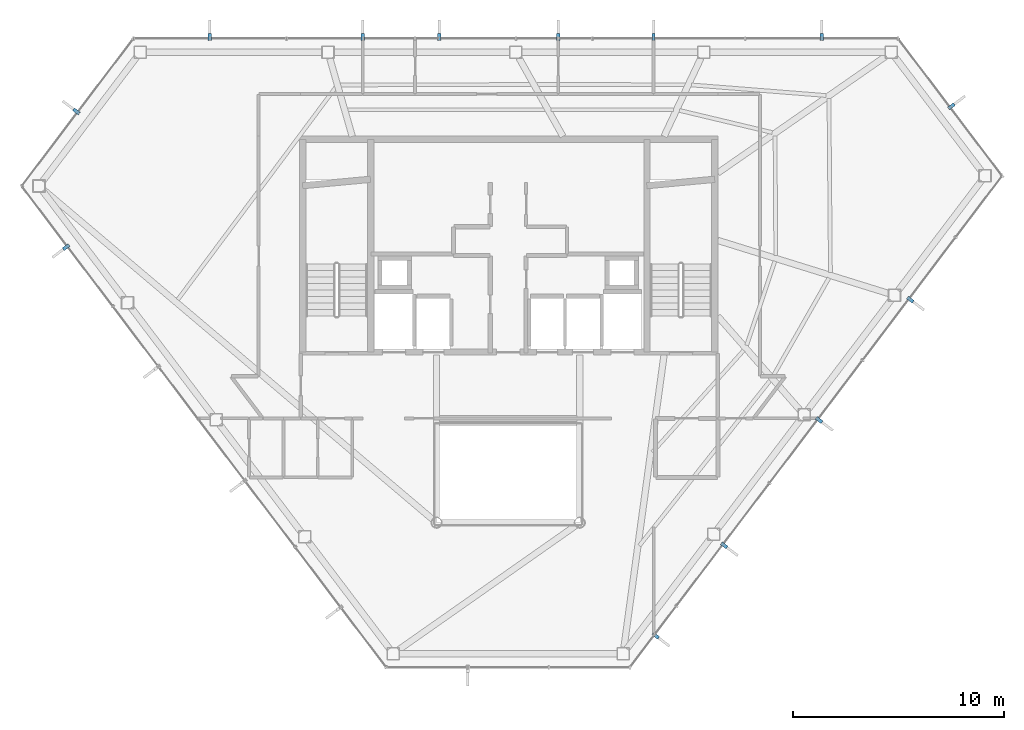
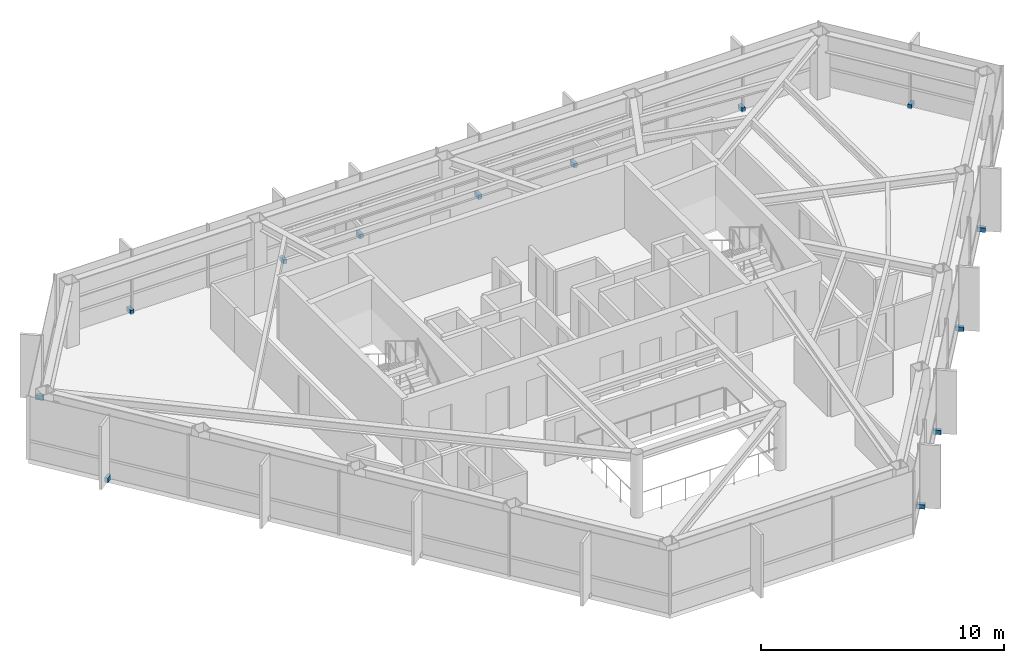
# One storey, part 26 of 27: 13 discrete accessories.
"""IFC4 building model written with IfcOpenShell, lengths in metres."""

from ifc_helpers import new_model, si_unit, direction, frame, origin, origin_2d, place, context, subcontext, project, spatial, rectangle, extrude, material, type_object, element, save


model = new_model("IFC4")

# Units and contexts
model_context = context("Model", 3, precision=1e-05, world=origin(), true_north=direction((0.0, 1.0)))
body_context = subcontext(model_context, "Body", "Model", "MODEL_VIEW")
ifc_project = project(units=[si_unit("LENGTHUNIT", "METRE"), si_unit("AREAUNIT", "SQUARE_METRE"), si_unit("VOLUMEUNIT", "CUBIC_METRE"), si_unit("PLANEANGLEUNIT", "RADIAN"), si_unit("MASSUNIT", "GRAM", prefix="KILO")], contexts=[model_context])

# Site, building, storey
site_placement = place(None, origin())
site = spatial("IfcSite", under=ifc_project, at=site_placement, CompositionType="ELEMENT")
building_placement = place(site_placement, origin())
building = spatial("IfcBuilding", under=site, at=building_placement, Name="Zarrinselat Tower", CompositionType="ELEMENT")
storey_placement = place(building_placement, frame((0.0, 0.0, 229.159912109375)))
storey = spatial("IfcBuildingStorey", under=building, at=storey_placement, Name="L57", CompositionType="ELEMENT", Elevation=229.159912109375)

# Discrete accessories
ifc_material = material(Name="Steel S355J2", Category="steel")
discrete_accessory_type = type_object("IfcDiscreteAccessoryType", Name="ACC-FIN-BRACKET", PredefinedType="BRACKET", material=ifc_material)
for number, where, z_axis, x_axis, name in (
    (1, (53.284912109375, 48.247802734375, -0.0498046875), (0.0, 0.0, 1.0), (0.0, 1.0, 0.0), "L57 Fin Fixing Bracket CW-L57-E01-01"),
    (2, (45.300048828125, 48.247802734375, -0.0498046875), (0.0, 0.0, 1.0), (0.0, 1.0, 0.0), "L57 Fin Fixing Bracket CW-L57-E01-03"),
    (3, (40.773681640625, 48.247802734375, -0.0498046875), (0.0, 0.0, 1.0), (0.0, 1.0, 0.0), "L57 Fin Fixing Bracket CW-L57-E01-05"),
    (4, (35.133056640625, 48.247802734375, -0.0498046875), (0.0, 0.0, 1.0), (0.0, 1.0, 0.0), "L57 Fin Fixing Bracket CW-L57-E01-07"),
    (5, (31.5, 48.247802734375, -0.0498046875), (0.0, 0.0, 1.0), (0.0, 1.0, 0.0), "L57 Fin Fixing Bracket CW-L57-E01-09"),
    (6, (24.241943359375, 48.247802734375, -0.0498046875), (0.0, 0.0, 1.0), (0.0, 1.0, 0.0), "L57 Fin Fixing Bracket CW-L57-E01-11"),
    (7, (17.905517578125, 44.721923828125, -0.0498046875), (0.0, 0.0, 1.0), (-0.797093643742, 0.603855713814, 0.0), "L57 Fin Fixing Bracket CW-L57-E02-01"),
    (8, (17.419189453125, 38.283203125, -0.0498046875), (0.0, 0.0, 1.0), (-0.7970923517, -0.603857419315, 0.0), "L57 Fin Fixing Bracket CW-L57-E03-01"),
    (9, (45.403564453125, 19.833251953125, -0.0498046875), (0.0, 0.0, 1.0), (0.797091251037, -0.603858872188, 0.0), "L57 Fin Fixing Bracket CW-L57-E05-01"),
    (10, (48.65380859375, 24.12353515625, -0.0498046875), (0.0, 0.0, 1.0), (0.797091251037, -0.603858872188, 0.0), "L57 Fin Fixing Bracket CW-L57-E05-03"),
    (11, (53.159912109375, 30.071533203125, -0.0498046875), (0.0, 0.0, 1.0), (0.797091251037, -0.603858872188, 0.0), "L57 Fin Fixing Bracket CW-L57-E05-05"),
    (12, (57.489990234375, 35.787109375, -0.0498046875), (0.0, 0.0, 1.0), (0.797091251037, -0.603858872188, 0.0), "L57 Fin Fixing Bracket CW-L57-E05-07"),
    (13, (59.439453125, 44.961669921875, -0.0498046875), (0.0, 0.0, 1.0), (0.797091791346, 0.603858158982, 0.0), "L57 Fin Fixing Bracket CW-L57-E06-01"),
):
    element("IfcDiscreteAccessory", number, at=place(storey_placement, frame(where, z_axis=z_axis, x_axis=x_axis)), inside=storey, type_object=discrete_accessory_type, Name=name, PredefinedType="BRACKET", context=body_context, shape_type="SweptSolid", body=[
        extrude(rectangle(XDim=0.340087890625, YDim=0.159912109375, at=origin_2d()), origin(), (0.0, 0.0, 1.0), 0.219970703125),
    ])

save(model, "model.ifc")
